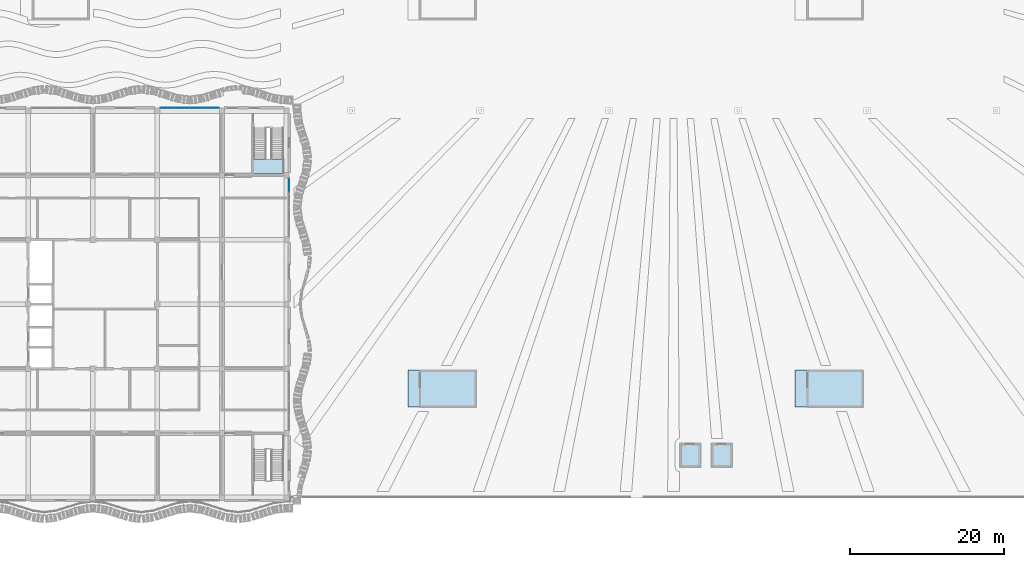
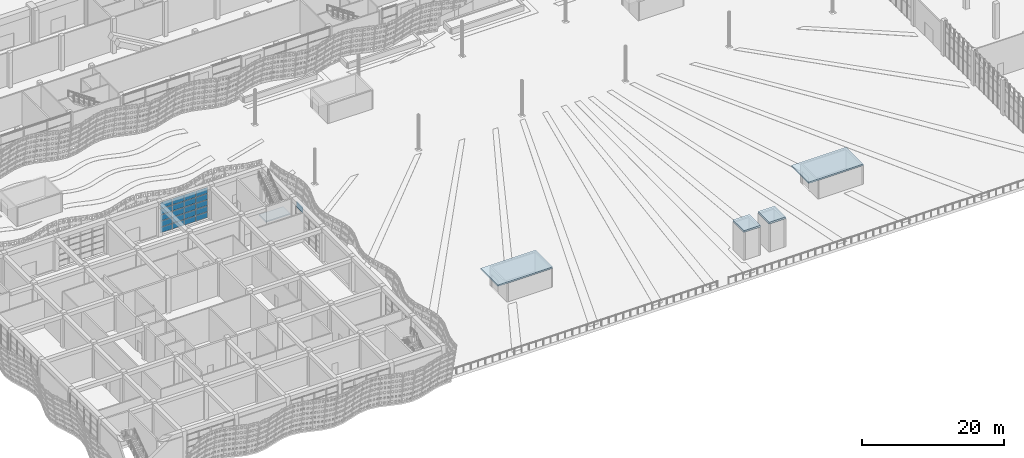
# One storey, part 80 of 210: 21 plates, 5 slabs, 3 elements without a shape of their own.
"""IFC4 building model written with IfcOpenShell, lengths in metres."""

from ifc_helpers import new_model, si_unit, direction, frame, origin, origin_2d, place, context, subcontext, project, spatial, polyline, rectangle, outline, extrude, material, layer, layer_set, type_object, element, aggregate, save


model = new_model("IFC4")

# Units and contexts
model_context = context("Model", 3, precision=1e-05, world=origin(), true_north=direction((0.0, 1.0)))
body_context = subcontext(model_context, "Body", "Model", "MODEL_VIEW")
ifc_project = project(units=[si_unit("LENGTHUNIT", "METRE"), si_unit("AREAUNIT", "SQUARE_METRE"), si_unit("VOLUMEUNIT", "CUBIC_METRE"), si_unit("PLANEANGLEUNIT", "RADIAN"), si_unit("MASSUNIT", "GRAM", prefix="KILO")], contexts=[model_context])

# Site, building, storey
site_placement = place(None, origin())
site = spatial("IfcSite", under=ifc_project, at=site_placement, CompositionType="ELEMENT")
building_placement = place(site_placement, origin())
building = spatial("IfcBuilding", under=site, at=building_placement, Name="Rain Tree Exposition and Congress Centre", CompositionType="ELEMENT")
storey_placement = place(building_placement, origin())
storey = spatial("IfcBuildingStorey", under=building, at=storey_placement, Name="L00", CompositionType="ELEMENT", Elevation=0.0)

# Slabs
ifc_material_1 = material(Name="Concrete C40/50", Category="concrete")
ifc_layer_1 = layer(ifc_material_1, 0.25)
ifc_layer_set_1 = layer_set([ifc_layer_1], Name="Concrete C40/50")
slab_type_1 = type_object("IfcSlabType", Name="Lift roof slab 250", PredefinedType="ROOF", material=ifc_layer_set_1)
slab_1_placement = place(storey_placement, frame((0.0, 0.0, 3.199951171875)))
element("IfcSlab", 1, at=slab_1_placement, inside=storey, type_object=slab_type_1, Name="Exit stair E1 roof and entrance canopy", PredefinedType="ROOF", context=body_context, shape_type="SweptSolid", body=[
    extrude(outline(polyline([(66.199951171875, 11.800048828125), (75.10009765625, 11.800048828125), (75.10009765625, 16.60009765625), (66.199951171875, 16.60009765625), (66.199951171875, 11.800048828125)])), origin(), (0.0, 0.0, 1.0), 0.25),
])
slab_2_placement = place(storey_placement, frame((0.0, 0.0, 3.199951171875)))
element("IfcSlab", 2, at=slab_2_placement, inside=storey, type_object=slab_type_1, Name="Exit stair E2 roof and entrance canopy", PredefinedType="ROOF", context=body_context, shape_type="SweptSolid", body=[
    extrude(outline(polyline([(116.60009765625, 11.800048828125), (125.5, 11.800048828125), (125.5, 16.60009765625), (116.60009765625, 16.60009765625), (116.60009765625, 11.800048828125)])), origin(), (0.0, 0.0, 1.0), 0.25),
])
ifc_material_2 = material(Name="Concrete C40/50", Category="concrete")
ifc_layer_2 = layer(ifc_material_2, 0.300048828125)
ifc_layer_set_2 = layer_set([ifc_layer_2], Name="Concrete C40/50")
slab_type_2 = type_object("IfcSlabType", Name="Lift roof slab 300", PredefinedType="ROOF", material=ifc_layer_set_2)
slab_3_placement = place(storey_placement, frame((0.0, 0.0, 4.800048828125)))
element("IfcSlab", 3, at=slab_3_placement, inside=storey, type_object=slab_type_2, Name="Lift S1 roof", PredefinedType="ROOF", context=body_context, shape_type="SweptSolid", body=[
    extrude(outline(polyline([(101.60009765625, 4.0), (104.300048828125, 4.0), (104.300048828125, 7.10009765625), (101.60009765625, 7.10009765625), (101.60009765625, 4.0)])), origin(), (0.0, 0.0, 1.0), 0.300048828125),
])
slab_4_placement = place(storey_placement, frame((0.0, 0.0, 4.800048828125)))
element("IfcSlab", 4, at=slab_4_placement, inside=storey, type_object=slab_type_2, Name="Lift S2 roof", PredefinedType="ROOF", context=body_context, shape_type="SweptSolid", body=[
    extrude(outline(polyline([(105.699951171875, 4.0), (108.39990234375, 4.0), (108.39990234375, 7.10009765625), (105.699951171875, 7.10009765625), (105.699951171875, 4.0)])), origin(), (0.0, 0.0, 1.0), 0.300048828125),
])

# Curtain wall, plates
ifc_material_3 = material(Name="Aluminium curtain wall", Category="aluminium")
curtain_wall_type = type_object("IfcCurtainWallType", Name="Wing curtain wall 1925", PredefinedType="NOTDEFINED", material=ifc_material_3)
curtain_wall_1_placement = place(storey_placement, origin())
curtain_wall_1 = element("IfcCurtainWall", 5, at=curtain_wall_1_placement, inside=storey, type_object=curtain_wall_type, Name="Curtain wall CWW105", PredefinedType="NOTDEFINED")
ifc_material_4 = material(Name="Double glazed unit", Category="glass")
ifc_layer_3 = layer(ifc_material_4, 0.028076171875)
ifc_layer_set_3 = layer_set([ifc_layer_3], Name="Double glazed unit")
plate_type = type_object("IfcPlateType", Name="Wing glazing panel 28", PredefinedType="CURTAIN_PANEL", material=ifc_layer_set_3)
plate_1_placement = place(storey_placement, frame((34.927490234375, 50.75, 0.06005859375), z_axis=(0.0, 0.0, 1.0), x_axis=(1.0, 0.0, 0.0)))
plate_1 = element("IfcPlate", 6, at=plate_1_placement, type_object=plate_type, Name="CWW105 panel 1.1", PredefinedType="CURTAIN_PANEL", context=body_context, shape_type="SweptSolid", body=[
    extrude(rectangle(XDim=1.8349609375, YDim=0.028076171875, at=origin_2d()), origin(), (0.0, 0.0, 1.0), 0.9599609375),
])
plate_2_placement = place(storey_placement, frame((34.927490234375, 50.75, 1.080078125), z_axis=(0.0, 0.0, 1.0), x_axis=(1.0, 0.0, 0.0)))
plate_2 = element("IfcPlate", 7, at=plate_2_placement, type_object=plate_type, Name="CWW105 panel 1.2", PredefinedType="CURTAIN_PANEL", context=body_context, shape_type="SweptSolid", body=[
    extrude(rectangle(XDim=1.8349609375, YDim=0.028076171875, at=origin_2d()), origin(), (0.0, 0.0, 1.0), 0.989990234375),
])
plate_3_placement = place(storey_placement, frame((34.927490234375, 50.75, 2.1298828125), z_axis=(0.0, 0.0, 1.0), x_axis=(1.0, 0.0, 0.0)))
plate_3 = element("IfcPlate", 8, at=plate_3_placement, type_object=plate_type, Name="CWW105 panel 1.3", PredefinedType="CURTAIN_PANEL", context=body_context, shape_type="SweptSolid", body=[
    extrude(rectangle(XDim=1.8349609375, YDim=0.028076171875, at=origin_2d()), origin(), (0.0, 0.0, 1.0), 0.989990234375),
])
plate_4_placement = place(storey_placement, frame((34.927490234375, 50.75, 3.18017578125), z_axis=(0.0, 0.0, 1.0), x_axis=(1.0, 0.0, 0.0)))
plate_4 = element("IfcPlate", 9, at=plate_4_placement, type_object=plate_type, Name="CWW105 panel 1.4", PredefinedType="CURTAIN_PANEL", context=body_context, shape_type="SweptSolid", body=[
    extrude(rectangle(XDim=1.8349609375, YDim=0.028076171875, at=origin_2d()), origin(), (0.0, 0.0, 1.0), 0.989990234375),
])
plate_5_placement = place(storey_placement, frame((34.927490234375, 50.75, 4.22998046875), z_axis=(0.0, 0.0, 1.0), x_axis=(1.0, 0.0, 0.0)))
plate_5 = element("IfcPlate", 10, at=plate_5_placement, type_object=plate_type, Name="CWW105 panel 1.5", PredefinedType="CURTAIN_PANEL", context=body_context, shape_type="SweptSolid", body=[
    extrude(rectangle(XDim=1.8349609375, YDim=0.028076171875, at=origin_2d()), origin(), (0.0, 0.0, 1.0), 1.010009765625),
])
plate_6_placement = place(storey_placement, frame((36.83740234375, 50.75, 0.06005859375), z_axis=(0.0, 0.0, 1.0), x_axis=(1.0, 0.0, 0.0)))
plate_6 = element("IfcPlate", 11, at=plate_6_placement, type_object=plate_type, Name="CWW105 panel 2.1", PredefinedType="CURTAIN_PANEL", context=body_context, shape_type="SweptSolid", body=[
    extrude(rectangle(XDim=1.864990234375, YDim=0.028076171875, at=origin_2d()), origin(), (0.0, 0.0, 1.0), 0.9599609375),
])
plate_7_placement = place(storey_placement, frame((36.83740234375, 50.75, 1.080078125), z_axis=(0.0, 0.0, 1.0), x_axis=(1.0, 0.0, 0.0)))
plate_7 = element("IfcPlate", 12, at=plate_7_placement, type_object=plate_type, Name="CWW105 panel 2.2", PredefinedType="CURTAIN_PANEL", context=body_context, shape_type="SweptSolid", body=[
    extrude(rectangle(XDim=1.864990234375, YDim=0.028076171875, at=origin_2d()), origin(), (0.0, 0.0, 1.0), 0.989990234375),
])
plate_8_placement = place(storey_placement, frame((36.83740234375, 50.75, 2.1298828125), z_axis=(0.0, 0.0, 1.0), x_axis=(1.0, 0.0, 0.0)))
plate_8 = element("IfcPlate", 13, at=plate_8_placement, type_object=plate_type, Name="CWW105 panel 2.3", PredefinedType="CURTAIN_PANEL", context=body_context, shape_type="SweptSolid", body=[
    extrude(rectangle(XDim=1.864990234375, YDim=0.028076171875, at=origin_2d()), origin(), (0.0, 0.0, 1.0), 0.989990234375),
])
plate_9_placement = place(storey_placement, frame((36.83740234375, 50.75, 3.18017578125), z_axis=(0.0, 0.0, 1.0), x_axis=(1.0, 0.0, 0.0)))
plate_9 = element("IfcPlate", 14, at=plate_9_placement, type_object=plate_type, Name="CWW105 panel 2.4", PredefinedType="CURTAIN_PANEL", context=body_context, shape_type="SweptSolid", body=[
    extrude(rectangle(XDim=1.864990234375, YDim=0.028076171875, at=origin_2d()), origin(), (0.0, 0.0, 1.0), 0.989990234375),
])
plate_10_placement = place(storey_placement, frame((36.83740234375, 50.75, 4.22998046875), z_axis=(0.0, 0.0, 1.0), x_axis=(1.0, 0.0, 0.0)))
plate_10 = element("IfcPlate", 15, at=plate_10_placement, type_object=plate_type, Name="CWW105 panel 2.5", PredefinedType="CURTAIN_PANEL", context=body_context, shape_type="SweptSolid", body=[
    extrude(rectangle(XDim=1.864990234375, YDim=0.028076171875, at=origin_2d()), origin(), (0.0, 0.0, 1.0), 1.010009765625),
])
plate_11_placement = place(storey_placement, frame((38.762451171875, 50.75, 0.06005859375), z_axis=(0.0, 0.0, 1.0), x_axis=(1.0, 0.0, 0.0)))
plate_11 = element("IfcPlate", 16, at=plate_11_placement, type_object=plate_type, Name="CWW105 panel 3.1", PredefinedType="CURTAIN_PANEL", context=body_context, shape_type="SweptSolid", body=[
    extrude(rectangle(XDim=1.864990234375, YDim=0.028076171875, at=origin_2d()), origin(), (0.0, 0.0, 1.0), 0.9599609375),
])
plate_12_placement = place(storey_placement, frame((38.762451171875, 50.75, 1.080078125), z_axis=(0.0, 0.0, 1.0), x_axis=(1.0, 0.0, 0.0)))
plate_12 = element("IfcPlate", 17, at=plate_12_placement, type_object=plate_type, Name="CWW105 panel 3.2", PredefinedType="CURTAIN_PANEL", context=body_context, shape_type="SweptSolid", body=[
    extrude(rectangle(XDim=1.864990234375, YDim=0.028076171875, at=origin_2d()), origin(), (0.0, 0.0, 1.0), 0.989990234375),
])
plate_13_placement = place(storey_placement, frame((38.762451171875, 50.75, 2.1298828125), z_axis=(0.0, 0.0, 1.0), x_axis=(1.0, 0.0, 0.0)))
plate_13 = element("IfcPlate", 18, at=plate_13_placement, type_object=plate_type, Name="CWW105 panel 3.3", PredefinedType="CURTAIN_PANEL", context=body_context, shape_type="SweptSolid", body=[
    extrude(rectangle(XDim=1.864990234375, YDim=0.028076171875, at=origin_2d()), origin(), (0.0, 0.0, 1.0), 0.989990234375),
])
plate_14_placement = place(storey_placement, frame((38.762451171875, 50.75, 3.18017578125), z_axis=(0.0, 0.0, 1.0), x_axis=(1.0, 0.0, 0.0)))
plate_14 = element("IfcPlate", 19, at=plate_14_placement, type_object=plate_type, Name="CWW105 panel 3.4", PredefinedType="CURTAIN_PANEL", context=body_context, shape_type="SweptSolid", body=[
    extrude(rectangle(XDim=1.864990234375, YDim=0.028076171875, at=origin_2d()), origin(), (0.0, 0.0, 1.0), 0.989990234375),
])
plate_15_placement = place(storey_placement, frame((38.762451171875, 50.75, 4.22998046875), z_axis=(0.0, 0.0, 1.0), x_axis=(1.0, 0.0, 0.0)))
plate_15 = element("IfcPlate", 20, at=plate_15_placement, type_object=plate_type, Name="CWW105 panel 3.5", PredefinedType="CURTAIN_PANEL", context=body_context, shape_type="SweptSolid", body=[
    extrude(rectangle(XDim=1.864990234375, YDim=0.028076171875, at=origin_2d()), origin(), (0.0, 0.0, 1.0), 1.010009765625),
])
plate_16_placement = place(storey_placement, frame((40.672607421875, 50.75, 0.06005859375), z_axis=(0.0, 0.0, 1.0), x_axis=(1.0, 0.0, 0.0)))
plate_16 = element("IfcPlate", 21, at=plate_16_placement, type_object=plate_type, Name="CWW105 panel 4.1", PredefinedType="CURTAIN_PANEL", context=body_context, shape_type="SweptSolid", body=[
    extrude(rectangle(XDim=1.8349609375, YDim=0.028076171875, at=origin_2d()), origin(), (0.0, 0.0, 1.0), 0.9599609375),
])
plate_17_placement = place(storey_placement, frame((40.672607421875, 50.75, 1.080078125), z_axis=(0.0, 0.0, 1.0), x_axis=(1.0, 0.0, 0.0)))
plate_17 = element("IfcPlate", 22, at=plate_17_placement, type_object=plate_type, Name="CWW105 panel 4.2", PredefinedType="CURTAIN_PANEL", context=body_context, shape_type="SweptSolid", body=[
    extrude(rectangle(XDim=1.8349609375, YDim=0.028076171875, at=origin_2d()), origin(), (0.0, 0.0, 1.0), 0.989990234375),
])
plate_18_placement = place(storey_placement, frame((40.672607421875, 50.75, 2.1298828125), z_axis=(0.0, 0.0, 1.0), x_axis=(1.0, 0.0, 0.0)))
plate_18 = element("IfcPlate", 23, at=plate_18_placement, type_object=plate_type, Name="CWW105 panel 4.3", PredefinedType="CURTAIN_PANEL", context=body_context, shape_type="SweptSolid", body=[
    extrude(rectangle(XDim=1.8349609375, YDim=0.028076171875, at=origin_2d()), origin(), (0.0, 0.0, 1.0), 0.989990234375),
])
plate_19_placement = place(storey_placement, frame((40.672607421875, 50.75, 3.18017578125), z_axis=(0.0, 0.0, 1.0), x_axis=(1.0, 0.0, 0.0)))
plate_19 = element("IfcPlate", 24, at=plate_19_placement, type_object=plate_type, Name="CWW105 panel 4.4", PredefinedType="CURTAIN_PANEL", context=body_context, shape_type="SweptSolid", body=[
    extrude(rectangle(XDim=1.8349609375, YDim=0.028076171875, at=origin_2d()), origin(), (0.0, 0.0, 1.0), 0.989990234375),
])
plate_20_placement = place(storey_placement, frame((40.672607421875, 50.75, 4.22998046875), z_axis=(0.0, 0.0, 1.0), x_axis=(1.0, 0.0, 0.0)))
plate_20 = element("IfcPlate", 25, at=plate_20_placement, type_object=plate_type, Name="CWW105 panel 4.5", PredefinedType="CURTAIN_PANEL", context=body_context, shape_type="SweptSolid", body=[
    extrude(rectangle(XDim=1.8349609375, YDim=0.028076171875, at=origin_2d()), origin(), (0.0, 0.0, 1.0), 1.010009765625),
])
aggregate(curtain_wall_1, [plate_1, plate_2, plate_3, plate_4, plate_5, plate_6, plate_7, plate_8, plate_9, plate_10, plate_11, plate_12, plate_13, plate_14, plate_15, plate_16, plate_17, plate_18, plate_19, plate_20])

# Curtain wall, plate
curtain_wall_2_placement = place(storey_placement, origin())
curtain_wall_2 = element("IfcCurtainWall", 26, at=curtain_wall_2_placement, inside=storey, type_object=curtain_wall_type, Name="Curtain wall CWW110", PredefinedType="NOTDEFINED")
plate_21_placement = place(storey_placement, frame((50.75, 40.672607421875, 4.22998046875), z_axis=(0.0, 0.0, 1.0), x_axis=(0.0, 1.0, 0.0)))
plate_21 = element("IfcPlate", 27, at=plate_21_placement, type_object=plate_type, Name="CWW110 panel 4.5", PredefinedType="CURTAIN_PANEL", context=body_context, shape_type="SweptSolid", body=[
    extrude(rectangle(XDim=1.8349609375, YDim=0.028076171875, at=origin_2d()), origin(), (0.0, 0.0, 1.0), 1.010009765625),
])
aggregate(curtain_wall_2, [plate_21])

# Stair, slab
ifc_material_5 = material(Name="Precast concrete C50/60", Category="concrete")
stair_type = type_object("IfcStairType", Name="Wing dog-leg stair 1600", PredefinedType="HALF_TURN_STAIR", material=ifc_material_5)
stair_placement = place(storey_placement, origin())
stair = element("IfcStair", 28, at=stair_placement, inside=storey, type_object=stair_type, Name="L00 ST-W4", PredefinedType="HALF_TURN_STAIR")
ifc_material_6 = material(Name="Precast concrete C50/60", Category="concrete")
ifc_layer_4 = layer(ifc_material_6, 0.199951171875)
ifc_layer_set_4 = layer_set([ifc_layer_4], Name="Precast concrete C50/60")
slab_type_3 = type_object("IfcSlabType", Name="Wing stair landing 200", PredefinedType="LANDING", material=ifc_layer_set_4)
slab_5_placement = place(storey_placement, frame((0.0, 0.0, 2.800048828125)))
slab_5 = element("IfcSlab", 29, at=slab_5_placement, type_object=slab_type_3, Name="ST-W4 landing 1", PredefinedType="LANDING", context=body_context, shape_type="SweptSolid", body=[
    extrude(outline(polyline([(46.125, 44.10009765625), (46.125, 42.1220703125), (50.052978515625, 42.1220703125), (50.052978515625, 44.10009765625), (46.125, 44.10009765625)])), origin(), (0.0, 0.0, 1.0), 0.199951171875),
])
aggregate(stair, [slab_5])

save(model, "model.ifc")
